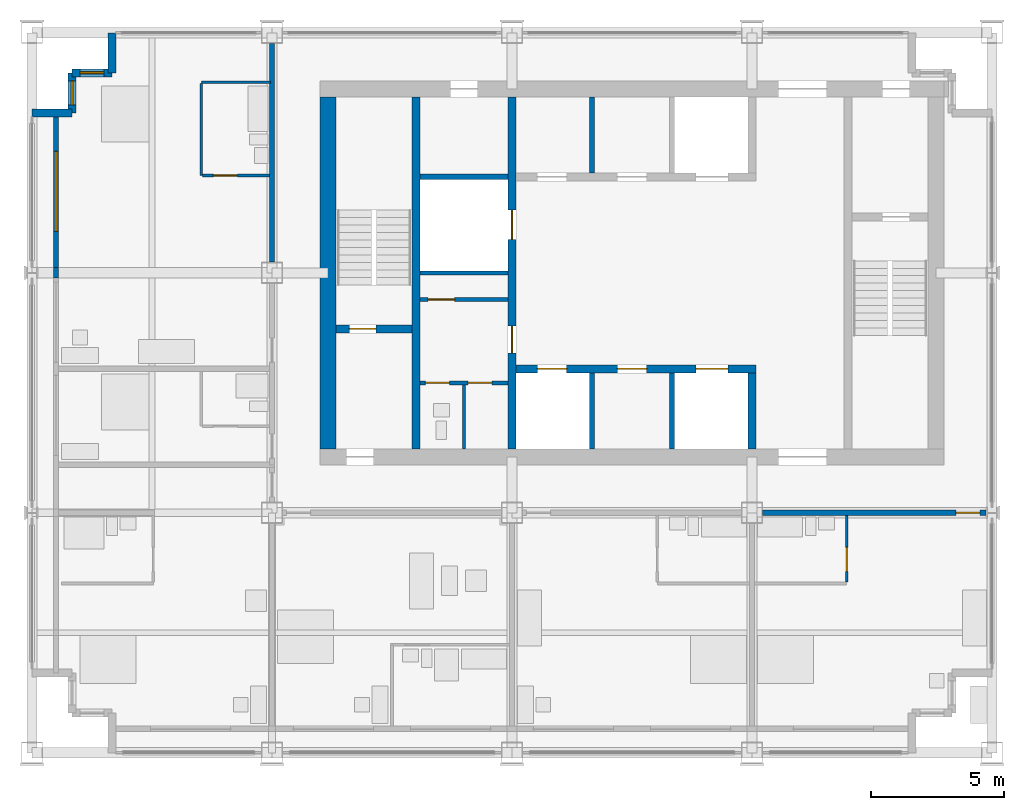
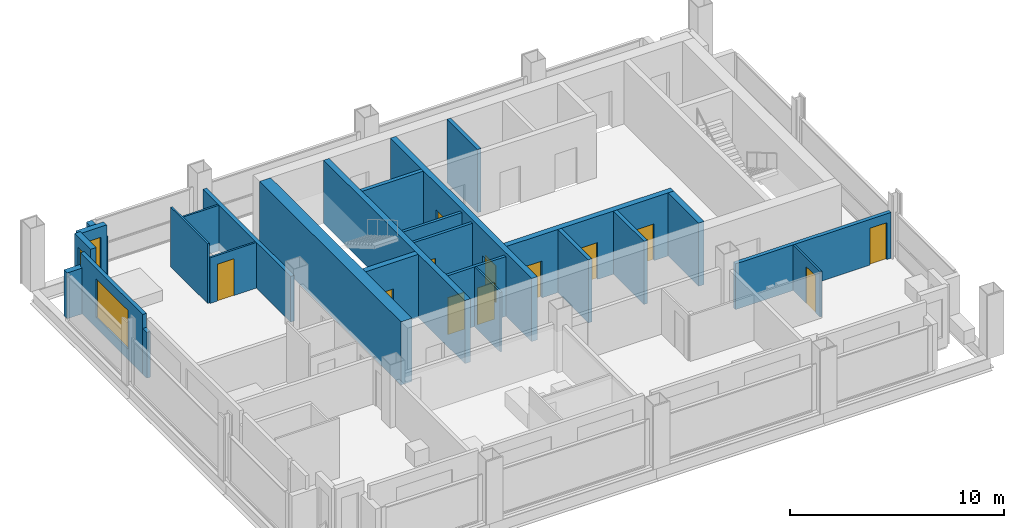
# One storey, part 7 of 11: 26 walls, 12 doors, 3 windows, 15 openings.
"""IFC4 building model written with IfcOpenShell, lengths in metres."""

from ifc_helpers import new_model, si_unit, direction, frame, frame_2d, origin, place, context, subcontext, project, spatial, rectangle, extrude, material, layer, layer_set, type_object, element, fill, save


model = new_model("IFC4")

# Units and contexts
model_context = context("Model", 3, precision=1e-05, world=origin(), true_north=direction((0.0, 1.0)))
body_context = subcontext(model_context, "Body", "Model", "MODEL_VIEW")
ifc_project = project(units=[si_unit("LENGTHUNIT", "METRE"), si_unit("AREAUNIT", "SQUARE_METRE"), si_unit("VOLUMEUNIT", "CUBIC_METRE"), si_unit("PLANEANGLEUNIT", "RADIAN"), si_unit("MASSUNIT", "GRAM", prefix="KILO")], contexts=[model_context])

# Site, building, storey
site_placement = place(None, origin())
site = spatial("IfcSite", under=ifc_project, at=site_placement, CompositionType="ELEMENT")
building_placement = place(site_placement, origin())
building = spatial("IfcBuilding", under=site, at=building_placement, Name="Loomwork Tower", CompositionType="ELEMENT")
storey_placement = place(building_placement, frame((0.0, 0.0, 248.199951171875)))
storey = spatial("IfcBuildingStorey", under=building, at=storey_placement, Name="L68", CompositionType="ELEMENT", Elevation=248.199951171875)

# Wall
ifc_material_1 = material(Name="Concrete 14000 psi (97 MPa)", Category="concrete")
ifc_layer_1 = layer(ifc_material_1, 0.300048828125)
ifc_layer_set_1 = layer_set([ifc_layer_1], Name="Core shear wall 300")
wall_type_1 = type_object("IfcWallType", Name="Core shear wall 300", PredefinedType="SHEAR", material=ifc_layer_set_1)
wall_1_placement = place(storey_placement, frame((14.39990234375, 11.39990234375, 0.0), z_axis=(0.0, 0.0, 1.0), x_axis=(0.0, 1.0, 0.0)))
element("IfcWall", 1, at=wall_1_placement, inside=storey, type_object=wall_type_1, Name="Stair A east wall L68", PredefinedType="SHEAR", context=body_context, shape_type="SweptSolid", body=[
    extrude(rectangle(XDim=13.2001953125, YDim=0.300048828125, at=frame_2d((6.60009765625, 0.0))), origin(), (0.0, 0.0, 1.0), 3.60009765625),
])

# Wall, opening, door
wall_2_placement = place(storey_placement, frame((11.39990234375, 15.89990234375, 0.0), z_axis=(0.0, 0.0, 1.0), x_axis=(1.0, 0.0, 0.0)))
wall_2 = element("IfcWall", 2, at=wall_2_placement, inside=storey, type_object=wall_type_1, Name="Stair A south wall L68", PredefinedType="SHEAR", context=body_context, shape_type="SweptSolid", body=[
    extrude(rectangle(XDim=2.85009765625, YDim=0.300048828125, at=frame_2d((1.425048828125, 0.0))), origin(), (0.0, 0.0, 1.0), 3.60009765625),
])
opening_1_placement = place(wall_2_placement, frame((0.5, 0.0, 0.0)))
opening_1 = element("IfcOpeningElement", 3, at=opening_1_placement, cuts=wall_2, Name="Opening D4", PredefinedType="OPENING", context=body_context, shape_type="SweptSolid", body=[
    extrude(rectangle(XDim=1.0, YDim=2.10009765625, at=frame_2d((0.5, 1.050048828125))), frame((0.0, 0.159912109375, 0.0), z_axis=(0.0, -1.0, 0.0), x_axis=(1.0, 0.0, 0.0)), (0.0, 0.0, 1.0), 0.320068359375),
])
ifc_material_2 = material(Name="Hollow metal door and frame")
door_type_1 = type_object("IfcDoorType", Name="Stair door 1000", OperationType="SINGLE_SWING_RIGHT", PredefinedType="DOOR", material=ifc_material_2)
door_1_placement = place(opening_1_placement, origin())
door_1 = element("IfcDoor", 4, at=door_1_placement, inside=storey, type_object=door_type_1, Name="Stair A door", OperationType="SINGLE_SWING_LEFT", OverallHeight=2.10009765625, OverallWidth=1.0, PredefinedType="DOOR", context=body_context, shape_type="SweptSolid", body=[
    extrude(rectangle(XDim=1.0, YDim=2.10009765625, at=frame_2d((0.5, 1.050048828125))), frame((0.0, 0.02490234375, 0.0), z_axis=(0.0, -1.0, 0.0), x_axis=(1.0, 0.0, 0.0)), (0.0, 0.0, 1.0), 0.050048828125),
])
fill(opening_1, door_1)

# Wall, openings, doors
wall_3_placement = place(storey_placement, frame((18.0, 11.39990234375, 0.0), z_axis=(0.0, 0.0, 1.0), x_axis=(0.0, 1.0, 0.0)))
wall_3 = element("IfcWall", 5, at=wall_3_placement, inside=storey, type_object=wall_type_1, Name="Lobby west wall L68", PredefinedType="SHEAR", context=body_context, shape_type="SweptSolid", body=[
    extrude(rectangle(XDim=13.2001953125, YDim=0.300048828125, at=frame_2d((6.60009765625, 0.0))), origin(), (0.0, 0.0, 1.0), 3.60009765625),
])
opening_2_placement = place(wall_3_placement, frame((3.60009765625, 0.0, 0.0)))
opening_2 = element("IfcOpeningElement", 6, at=opening_2_placement, cuts=wall_3, Name="Opening D5", PredefinedType="OPENING", context=body_context, shape_type="SweptSolid", body=[
    extrude(rectangle(XDim=1.0, YDim=2.10009765625, at=frame_2d((0.5, 1.050048828125))), frame((0.0, 0.159912109375, 0.0), z_axis=(0.0, -1.0, 0.0), x_axis=(1.0, 0.0, 0.0)), (0.0, 0.0, 1.0), 0.320068359375),
])
opening_3_placement = place(wall_3_placement, frame((7.85009765625, 0.0, 0.0)))
opening_3 = element("IfcOpeningElement", 7, at=opening_3_placement, cuts=wall_3, Name="Opening LD1", PredefinedType="OPENING", context=body_context, shape_type="SweptSolid", body=[
    extrude(rectangle(XDim=1.10009765625, YDim=2.10009765625, at=frame_2d((0.550048828125, 1.050048828125))), frame((0.0, 0.159912109375, 0.0), z_axis=(0.0, -1.0, 0.0), x_axis=(1.0, 0.0, 0.0)), (0.0, 0.0, 1.0), 0.320068359375),
])
ifc_material_3 = material(Name="Hollow metal door and frame")
door_type_2 = type_object("IfcDoorType", Name="Lift landing door 1100", OperationType="SLIDING_TO_LEFT", PredefinedType="DOOR", material=ifc_material_3)
door_2_placement = place(opening_3_placement, origin())
door_2 = element("IfcDoor", 8, at=door_2_placement, inside=storey, type_object=door_type_2, Name="Lift landing door LC2", OperationType="SLIDING_TO_LEFT", OverallHeight=2.10009765625, OverallWidth=1.10009765625, PredefinedType="DOOR", context=body_context, shape_type="SweptSolid", body=[
    extrude(rectangle(XDim=1.10009765625, YDim=2.10009765625, at=frame_2d((0.550048828125, 1.050048828125))), frame((0.0, 0.02490234375, 0.0), z_axis=(0.0, -1.0, 0.0), x_axis=(1.0, 0.0, 0.0)), (0.0, 0.0, 1.0), 0.050048828125),
])
fill(opening_3, door_2)
ifc_material_4 = material(Name="Hollow metal door and frame")
door_type_3 = type_object("IfcDoorType", Name="Service door 1000", OperationType="SINGLE_SWING_LEFT", PredefinedType="DOOR", material=ifc_material_4)
door_3_placement = place(opening_2_placement, origin())
door_3 = element("IfcDoor", 9, at=door_3_placement, inside=storey, type_object=door_type_3, Name="Back-of-house door south", OperationType="SINGLE_SWING_LEFT", OverallHeight=2.10009765625, OverallWidth=1.0, PredefinedType="DOOR", context=body_context, shape_type="SweptSolid", body=[
    extrude(rectangle(XDim=1.0, YDim=2.10009765625, at=frame_2d((0.5, 1.050048828125))), frame((0.0, 0.02490234375, 0.0), z_axis=(0.0, -1.0, 0.0), x_axis=(1.0, 0.0, 0.0)), (0.0, 0.0, 1.0), 0.050048828125),
])
fill(opening_2, door_3)

wall_4_placement = place(storey_placement, frame((18.14990234375, 14.39990234375, 0.0), z_axis=(0.0, 0.0, 1.0), x_axis=(1.0, 0.0, 0.0)))
wall_4 = element("IfcWall", 10, at=wall_4_placement, inside=storey, type_object=wall_type_1, Name="Lift front wall south L68", PredefinedType="SHEAR", context=body_context, shape_type="SweptSolid", body=[
    extrude(rectangle(XDim=9.0, YDim=0.300048828125, at=frame_2d((4.5, 0.0))), origin(), (0.0, 0.0, 1.0), 3.60009765625),
])
opening_4_placement = place(wall_4_placement, frame((0.800048828125, 0.0, 0.0)))
opening_4 = element("IfcOpeningElement", 11, at=opening_4_placement, cuts=wall_4, Name="Opening LD1", PredefinedType="OPENING", context=body_context, shape_type="SweptSolid", body=[
    extrude(rectangle(XDim=1.10009765625, YDim=2.10009765625, at=frame_2d((0.550048828125, 1.050048828125))), frame((0.0, 0.159912109375, 0.0), z_axis=(0.0, -1.0, 0.0), x_axis=(1.0, 0.0, 0.0)), (0.0, 0.0, 1.0), 0.320068359375),
])
opening_5_placement = place(wall_4_placement, frame((6.75, 0.0, 0.0)))
opening_5 = element("IfcOpeningElement", 12, at=opening_5_placement, cuts=wall_4, Name="Opening LD2", PredefinedType="OPENING", context=body_context, shape_type="SweptSolid", body=[
    extrude(rectangle(XDim=1.199951171875, YDim=2.10009765625, at=frame_2d((0.60009765625, 1.050048828125))), frame((0.0, 0.159912109375, 0.0), z_axis=(0.0, -1.0, 0.0), x_axis=(1.0, 0.0, 0.0)), (0.0, 0.0, 1.0), 0.320068359375),
])
opening_6_placement = place(wall_4_placement, frame((3.800048828125, 0.0, 0.0)))
opening_6 = element("IfcOpeningElement", 13, at=opening_6_placement, cuts=wall_4, Name="Opening D17", PredefinedType="OPENING", context=body_context, shape_type="SweptSolid", body=[
    extrude(rectangle(XDim=1.10009765625, YDim=2.10009765625, at=frame_2d((0.550048828125, 1.050048828125))), frame((0.0, 0.159912109375, 0.0), z_axis=(0.0, -1.0, 0.0), x_axis=(1.0, 0.0, 0.0)), (0.0, 0.0, 1.0), 0.320068359375),
])
door_4_placement = place(opening_4_placement, origin())
door_4 = element("IfcDoor", 14, at=door_4_placement, inside=storey, type_object=door_type_2, Name="Lift landing door LC1", OperationType="SLIDING_TO_LEFT", OverallHeight=2.10009765625, OverallWidth=1.10009765625, PredefinedType="DOOR", context=body_context, shape_type="SweptSolid", body=[
    extrude(rectangle(XDim=1.10009765625, YDim=2.10009765625, at=frame_2d((0.550048828125, 1.050048828125))), frame((0.0, 0.02490234375, 0.0), z_axis=(0.0, -1.0, 0.0), x_axis=(1.0, 0.0, 0.0)), (0.0, 0.0, 1.0), 0.050048828125),
])
fill(opening_4, door_4)
ifc_material_5 = material(Name="Hollow metal door and frame")
door_type_4 = type_object("IfcDoorType", Name="Lift landing door 1200", OperationType="SLIDING_TO_LEFT", PredefinedType="DOOR", material=ifc_material_5)
door_5_placement = place(opening_5_placement, origin())
door_5 = element("IfcDoor", 15, at=door_5_placement, inside=storey, type_object=door_type_4, Name="Lift landing door LF1", OperationType="SLIDING_TO_LEFT", OverallHeight=2.10009765625, OverallWidth=1.199951171875, PredefinedType="DOOR", context=body_context, shape_type="SweptSolid", body=[
    extrude(rectangle(XDim=1.199951171875, YDim=2.10009765625, at=frame_2d((0.60009765625, 1.050048828125))), frame((0.0, 0.02490234375, 0.0), z_axis=(0.0, -1.0, 0.0), x_axis=(1.0, 0.0, 0.0)), (0.0, 0.0, 1.0), 0.050048828125),
])
fill(opening_5, door_5)
ifc_material_6 = material(Name="Hollow metal door and frame")
door_type_5 = type_object("IfcDoorType", Name="Service room door 1100", OperationType="SINGLE_SWING_LEFT", PredefinedType="DOOR", material=ifc_material_6)
door_6_placement = place(opening_6_placement, frame((1.10009765625, 0.0, 0.0), z_axis=(0.0, 0.0, 1.0), x_axis=(-1.0, 0.0, 0.0)))
door_6 = element("IfcDoor", 16, at=door_6_placement, inside=storey, type_object=door_type_5, Name="Housekeeping store door L68", OperationType="SINGLE_SWING_RIGHT", OverallHeight=2.10009765625, OverallWidth=1.10009765625, PredefinedType="DOOR", context=body_context, shape_type="SweptSolid", body=[
    extrude(rectangle(XDim=1.10009765625, YDim=2.10009765625, at=frame_2d((0.550048828125, 1.050048828125))), frame((0.0, 0.02490234375, 0.0), z_axis=(0.0, -1.0, 0.0), x_axis=(1.0, 0.0, 0.0)), (0.0, 0.0, 1.0), 0.050048828125),
])
fill(opening_6, door_6)

# Walls
wall_5_placement = place(storey_placement, frame((27.0, 11.39990234375, 0.0), z_axis=(0.0, 0.0, 1.0), x_axis=(0.0, 1.0, 0.0)))
element("IfcWall", 17, at=wall_5_placement, inside=storey, type_object=wall_type_1, Name="Lift shaft end wall south L68", PredefinedType="SHEAR", context=body_context, shape_type="SweptSolid", body=[
    extrude(rectangle(XDim=2.85009765625, YDim=0.300048828125, at=frame_2d((1.425048828125, 0.0))), origin(), (0.0, 0.0, 1.0), 3.60009765625),
])
ifc_material_7 = material(Name="Concrete 14000 psi (97 MPa)", Category="concrete")
ifc_layer_2 = layer(ifc_material_7, 0.60009765625)
ifc_layer_set_2 = layer_set([ifc_layer_2], Name="Core shear wall 600")
wall_type_2 = type_object("IfcWallType", Name="Core shear wall 600", PredefinedType="SHEAR", material=ifc_layer_set_2)
wall_6_placement = place(storey_placement, frame((11.10009765625, 11.39990234375, 0.0), z_axis=(0.0, 0.0, 1.0), x_axis=(0.0, 1.0, 0.0)))
element("IfcWall", 18, at=wall_6_placement, inside=storey, type_object=wall_type_2, Name="Core wall west L68", PredefinedType="SHEAR", context=body_context, shape_type="SweptSolid", body=[
    extrude(rectangle(XDim=13.2001953125, YDim=0.60009765625, at=frame_2d((6.60009765625, 0.0))), origin(), (0.0, 0.0, 1.0), 3.60009765625),
])

# Wall, opening, door
ifc_material_8 = material(Name="Gypsum board on steel studs, one-hour", Category="steel")
ifc_layer_3 = layer(ifc_material_8, 0.199951171875)
ifc_layer_set_3 = layer_set([ifc_layer_3], Name="Corridor wall 200")
wall_type_3 = type_object("IfcWallType", Name="Corridor wall 200", PredefinedType="PARTITIONING", material=ifc_layer_set_3)
wall_7_placement = place(storey_placement, frame((27.39990234375, 9.0, 0.0), z_axis=(0.0, 0.0, 1.0), x_axis=(1.0, 0.0, 0.0)))
wall_7 = element("IfcWall", 19, at=wall_7_placement, inside=storey, type_object=wall_type_3, Name="South corridor wall 4", PredefinedType="PARTITIONING", context=body_context, shape_type="SweptSolid", body=[
    extrude(rectangle(XDim=8.377685546875, YDim=0.199951171875, at=frame_2d((4.18896484375, 0.0))), origin(), (0.0, 0.0, 1.0), 2.60498046875),
])
opening_7_placement = place(wall_7_placement, frame((7.25, 0.0, 0.0)))
opening_7 = element("IfcOpeningElement", 20, at=opening_7_placement, cuts=wall_7, Name="Opening D1", PredefinedType="OPENING", context=body_context, shape_type="SweptSolid", body=[
    extrude(rectangle(XDim=0.89990234375, YDim=2.10009765625, at=frame_2d((0.449951171875, 1.050048828125))), frame((0.0, 0.10986328125, 0.0), z_axis=(0.0, -1.0, 0.0), x_axis=(1.0, 0.0, 0.0)), (0.0, 0.0, 1.0), 0.219970703125),
])
ifc_material_9 = material(Name="Hollow metal door and frame")
door_type_6 = type_object("IfcDoorType", Name="Guest room entry door 900", OperationType="SINGLE_SWING_LEFT", PredefinedType="DOOR", material=ifc_material_9)
door_7_placement = place(opening_7_placement, frame((0.89990234375, 0.0, 0.0), z_axis=(0.0, 0.0, 1.0), x_axis=(-1.0, 0.0, 0.0)))
door_7 = element("IfcDoor", 21, at=door_7_placement, inside=storey, type_object=door_type_6, Name="Guest room entry door L68 4", OperationType="SINGLE_SWING_RIGHT", OverallHeight=2.10009765625, OverallWidth=0.89990234375, PredefinedType="DOOR", context=body_context, shape_type="SweptSolid", body=[
    extrude(rectangle(XDim=0.89990234375, YDim=2.10009765625, at=frame_2d((0.449951171875, 1.050048828125))), frame((0.0, 0.02490234375, 0.0), z_axis=(0.0, -1.0, 0.0), x_axis=(1.0, 0.0, 0.0)), (0.0, 0.0, 1.0), 0.050048828125),
])
fill(opening_7, door_7)

# Wall
wall_8_placement = place(storey_placement, frame((9.0, 18.39990234375, 0.0), z_axis=(0.0, 0.0, 1.0), x_axis=(0.0, 1.0, 0.0)))
element("IfcWall", 22, at=wall_8_placement, inside=storey, type_object=wall_type_3, Name="West corridor wall 2", PredefinedType="PARTITIONING", context=body_context, shape_type="SweptSolid", body=[
    extrude(rectangle(XDim=8.2001953125, YDim=0.199951171875, at=frame_2d((4.10009765625, 0.0))), origin(), (0.0, 0.0, 1.0), 2.60498046875),
])

# Wall, opening, door
ifc_material_10 = material(Name="Cement board on steel studs", Category="steel")
ifc_layer_4 = layer(ifc_material_10, 0.10009765625)
ifc_layer_set_4 = layer_set([ifc_layer_4], Name="En-suite partition 100")
wall_type_4 = type_object("IfcWallType", Name="En-suite partition 100", PredefinedType="PARTITIONING", material=ifc_layer_set_4)
wall_9_placement = place(storey_placement, frame((30.550048828125, 8.89990234375, 0.0), z_axis=(0.0, 0.0, 1.0), x_axis=(0.0, -1.0, 0.0)))
wall_9 = element("IfcWall", 23, at=wall_9_placement, inside=storey, type_object=wall_type_4, Name="En-suite side wall L68 room 4", PredefinedType="PARTITIONING", context=body_context, shape_type="SweptSolid", body=[
    extrude(rectangle(XDim=2.5, YDim=0.10009765625, at=frame_2d((1.25, 0.0))), origin(), (0.0, 0.0, 1.0), 2.60400390625),
])
opening_8_placement = place(wall_9_placement, frame((1.199951171875, 0.0, 0.0)))
opening_8 = element("IfcOpeningElement", 24, at=opening_8_placement, cuts=wall_9, Name="Opening D2", PredefinedType="OPENING", context=body_context, shape_type="SweptSolid", body=[
    extrude(rectangle(XDim=0.89990234375, YDim=2.10009765625, at=frame_2d((0.449951171875, 1.050048828125))), frame((0.0, 0.06005859375, 0.0), z_axis=(0.0, -1.0, 0.0), x_axis=(1.0, 0.0, 0.0)), (0.0, 0.0, 1.0), 0.1201171875),
])
ifc_material_11 = material(Name="Hollow metal door and frame")
door_type_7 = type_object("IfcDoorType", Name="En-suite door 900", OperationType="SINGLE_SWING_LEFT", PredefinedType="DOOR", material=ifc_material_11)
door_8_placement = place(opening_8_placement, frame((0.89990234375, 0.0, 0.0), z_axis=(0.0, 0.0, 1.0), x_axis=(-1.0, 0.0, 0.0)))
door_8 = element("IfcDoor", 25, at=door_8_placement, inside=storey, type_object=door_type_7, Name="En-suite door room 4", OperationType="SINGLE_SWING_LEFT", OverallHeight=2.10009765625, OverallWidth=0.89990234375, PredefinedType="DOOR", context=body_context, shape_type="SweptSolid", body=[
    extrude(rectangle(XDim=0.89990234375, YDim=2.10009765625, at=frame_2d((0.449951171875, 1.050048828125))), frame((0.0, 0.02490234375, 0.0), z_axis=(0.0, -1.0, 0.0), x_axis=(1.0, 0.0, 0.0)), (0.0, 0.0, 1.0), 0.050048828125),
])
fill(opening_8, door_8)

# Wall
wall_10_placement = place(storey_placement, frame((6.35009765625, 21.64990234375, 0.0), z_axis=(0.0, 0.0, 1.0), x_axis=(0.0, 1.0, 0.0)))
element("IfcWall", 26, at=wall_10_placement, inside=storey, type_object=wall_type_4, Name="En-suite wall L68 room 6", PredefinedType="PARTITIONING", context=body_context, shape_type="SweptSolid", body=[
    extrude(rectangle(XDim=3.4501953125, YDim=0.10009765625, at=frame_2d((1.72509765625, 0.0))), origin(), (0.0, 0.0, 1.0), 3.400146484375),
])

# Wall, opening, door
wall_11_placement = place(storey_placement, frame((8.89990234375, 21.64990234375, 0.0), z_axis=(0.0, 0.0, 1.0), x_axis=(-1.0, 0.0, 0.0)))
wall_11 = element("IfcWall", 27, at=wall_11_placement, inside=storey, type_object=wall_type_4, Name="En-suite side wall L68 room 6", PredefinedType="PARTITIONING", context=body_context, shape_type="SweptSolid", body=[
    extrude(rectangle(XDim=2.5, YDim=0.10009765625, at=frame_2d((1.25, 0.0))), origin(), (0.0, 0.0, 1.0), 2.60400390625),
])
opening_9_placement = place(wall_11_placement, frame((1.199951171875, 0.0, 0.0)))
opening_9 = element("IfcOpeningElement", 28, at=opening_9_placement, cuts=wall_11, Name="Opening D2", PredefinedType="OPENING", context=body_context, shape_type="SweptSolid", body=[
    extrude(rectangle(XDim=0.89990234375, YDim=2.10009765625, at=frame_2d((0.449951171875, 1.050048828125))), frame((0.0, 0.06005859375, 0.0), z_axis=(0.0, -1.0, 0.0), x_axis=(1.0, 0.0, 0.0)), (0.0, 0.0, 1.0), 0.1201171875),
])
door_9_placement = place(opening_9_placement, frame((0.89990234375, 0.0, 0.0), z_axis=(0.0, 0.0, 1.0), x_axis=(-1.0, 0.0, 0.0)))
door_9 = element("IfcDoor", 29, at=door_9_placement, inside=storey, type_object=door_type_7, Name="En-suite door room 6", OperationType="SINGLE_SWING_LEFT", OverallHeight=2.10009765625, OverallWidth=0.89990234375, PredefinedType="DOOR", context=body_context, shape_type="SweptSolid", body=[
    extrude(rectangle(XDim=0.89990234375, YDim=2.10009765625, at=frame_2d((0.449951171875, 1.050048828125))), frame((0.0, 0.02490234375, 0.0), z_axis=(0.0, -1.0, 0.0), x_axis=(1.0, 0.0, 0.0)), (0.0, 0.0, 1.0), 0.050048828125),
])
fill(opening_9, door_9)

# Walls
wall_12_placement = place(storey_placement, frame((6.35009765625, 25.14990234375, 0.0), z_axis=(0.0, 0.0, 1.0), x_axis=(1.0, 0.0, 0.0)))
element("IfcWall", 30, at=wall_12_placement, inside=storey, type_object=wall_type_4, Name="En-suite wall L68 stub", PredefinedType="PARTITIONING", context=body_context, shape_type="SweptSolid", body=[
    extrude(rectangle(XDim=2.599853515625, YDim=0.10009765625, at=frame_2d((1.2998046875, 0.0))), origin(), (0.0, 0.0, 1.0), 2.60400390625),
])
wall_13_placement = place(storey_placement, frame((16.199951171875, 11.39990234375, 0.0), z_axis=(0.0, 0.0, 1.0), x_axis=(0.0, 1.0, 0.0)))
element("IfcWall", 31, at=wall_13_placement, inside=storey, type_object=wall_type_4, Name="Back-of-house partition L68 2", PredefinedType="PARTITIONING", context=body_context, shape_type="SweptSolid", body=[
    extrude(rectangle(XDim=2.400146484375, YDim=0.10009765625, at=frame_2d((1.2001953125, 0.0))), origin(), (0.0, 0.0, 1.0), 3.400146484375),
])
ifc_material_12 = material(Name="Insulated steel stud wall with gypsum lining", Category="steel")
ifc_layer_5 = layer(ifc_material_12, 0.199951171875)
ifc_layer_set_5 = layer_set([ifc_layer_5], Name="Inner skin wall 200")
wall_type_5 = type_object("IfcWallType", Name="Inner skin wall 200", PredefinedType="SOLIDWALL", material=ifc_layer_set_5)
wall_14_placement = place(storey_placement, frame((0.89990234375, 17.80615234375, 0.0), z_axis=(0.0, 0.0, 1.0), x_axis=(0.0, 1.0, 0.0)))
element("IfcWall", 32, at=wall_14_placement, inside=storey, type_object=wall_type_5, Name="Inner skin wall W bay 6", PredefinedType="SOLIDWALL", context=body_context, shape_type="SweptSolid", body=[
    extrude(rectangle(XDim=0.3876953125, YDim=0.199951171875, at=frame_2d((0.19384765625, 0.0))), origin(), (0.0, 0.0, 1.0), 2.60400390625),
])

# Wall, opening, window
wall_15_placement = place(storey_placement, frame((0.89990234375, 18.19384765625, 0.0), z_axis=(0.0, 0.0, 1.0), x_axis=(0.0, 1.0, 0.0)))
wall_15 = element("IfcWall", 33, at=wall_15_placement, inside=storey, type_object=wall_type_5, Name="Inner skin wall W bay 7", PredefinedType="SOLIDWALL", context=body_context, shape_type="SweptSolid", body=[
    extrude(rectangle(XDim=5.80615234375, YDim=0.199951171875, at=frame_2d((2.903076171875, 0.0))), origin(), (0.0, 0.0, 1.0), 3.400146484375),
])
opening_10_placement = place(wall_15_placement, frame((1.356201171875, 0.0, 0.60009765625)))
opening_10 = element("IfcOpeningElement", 34, at=opening_10_placement, cuts=wall_15, Name="Opening CH1", PredefinedType="OPENING", context=body_context, shape_type="SweptSolid", body=[
    extrude(rectangle(XDim=3.0, YDim=2.199951171875, at=frame_2d((1.5, 1.10009765625))), frame((0.0, 0.10986328125, 0.0), z_axis=(0.0, -1.0, 0.0), x_axis=(1.0, 0.0, 0.0)), (0.0, 0.0, 1.0), 0.219970703125),
])
ifc_material_13 = material(Name="Aluminium frame with clear insulated glass", Category="aluminium")
window_type_1 = type_object("IfcWindowType", Name="Chicago window 3000", PartitioningType="TRIPLE_PANEL_VERTICAL", PredefinedType="WINDOW", material=ifc_material_13)
window_1_placement = place(opening_10_placement, origin())
window_1 = element("IfcWindow", 35, at=window_1_placement, inside=storey, type_object=window_type_1, Name="Chicago window L68 bay 6", OverallHeight=2.199951171875, OverallWidth=3.0, PartitioningType="TRIPLE_PANEL_VERTICAL", PredefinedType="WINDOW", context=body_context, shape_type="SweptSolid", body=[
    extrude(rectangle(XDim=3.0, YDim=2.199951171875, at=frame_2d((1.5, 1.10009765625))), frame((0.0, 0.030029296875, 0.0), z_axis=(0.0, -1.0, 0.0), x_axis=(1.0, 0.0, 0.0)), (0.0, 0.0, 1.0), 0.06005859375),
])
fill(opening_10, window_1)

# Walls
ifc_material_14 = material(Name="Concrete 14000 psi (97 MPa)", Category="concrete")
ifc_layer_6 = layer(ifc_material_14, 0.199951171875)
ifc_layer_set_6 = layer_set([ifc_layer_6], Name="Lift shaft wall 200")
wall_type_6 = type_object("IfcWallType", Name="Lift shaft wall 200", PredefinedType="SHEAR", material=ifc_layer_set_6)
for number, where, z_axis, x_axis, name in (
    (36, (21.0, 11.39990234375, 0.0), (0.0, 0.0, 1.0), (0.0, 1.0, 0.0), "Lift shaft separation wall south 1 L68"),
    (37, (24.0, 11.39990234375, 0.0), (0.0, 0.0, 1.0), (0.0, 1.0, 0.0), "Lift shaft separation wall south 2 L68"),
    (38, (21.0, 21.75, 0.0), (0.0, 0.0, 1.0), (0.0, 1.0, 0.0), "Lift shaft separation wall north 1 L68"),
):
    element("IfcWall", number, at=place(storey_placement, frame(where, z_axis=z_axis, x_axis=x_axis)), inside=storey, type_object=wall_type_6, Name=name, PredefinedType="SHEAR", context=body_context, shape_type="SweptSolid", body=[
        extrude(rectangle(XDim=2.85009765625, YDim=0.199951171875, at=frame_2d((1.425048828125, 0.0))), origin(), (0.0, 0.0, 1.0), 3.60009765625),
    ])
wall_16_placement = place(storey_placement, frame((14.550048828125, 21.60009765625, 0.0), z_axis=(0.0, 0.0, 1.0), x_axis=(1.0, 0.0, 0.0)))
element("IfcWall", 39, at=wall_16_placement, inside=storey, type_object=wall_type_6, Name="Lift shaft wall west north L68", PredefinedType="SHEAR", context=body_context, shape_type="SweptSolid", body=[
    extrude(rectangle(XDim=3.300048828125, YDim=0.199951171875, at=frame_2d((1.64990234375, 0.0))), origin(), (0.0, 0.0, 1.0), 3.60009765625),
])
ifc_material_15 = material(Name="Limestone on concrete masonry", Category="masonry")
ifc_layer_7 = layer(ifc_material_15, 0.300048828125)
ifc_layer_set_7 = layer_set([ifc_layer_7], Name="Limestone corner wall 300")
wall_type_7 = type_object("IfcWallType", Name="Limestone corner wall 300", PredefinedType="SOLIDWALL", material=ifc_layer_set_7)
wall_17_placement = place(storey_placement, frame((3.0, 27.0, 0.0), z_axis=(0.0, 0.0, 1.0), x_axis=(0.0, -1.0, 0.0)))
element("IfcWall", 40, at=wall_17_placement, inside=storey, type_object=wall_type_7, Name="Stone corner wall NW 1", PredefinedType="SOLIDWALL", context=body_context, shape_type="SweptSolid", body=[
    extrude(rectangle(XDim=1.5, YDim=0.300048828125, at=frame_2d((0.75, 0.0))), origin(), (0.0, 0.0, 1.0), 2.6201171875),
])

# Wall, opening, window
wall_18_placement = place(storey_placement, frame((3.0, 25.5, 0.0), z_axis=(0.0, 0.0, 1.0), x_axis=(-1.0, 0.0, 0.0)))
wall_18 = element("IfcWall", 41, at=wall_18_placement, inside=storey, type_object=wall_type_7, Name="Stone corner wall NW 2", PredefinedType="SOLIDWALL", context=body_context, shape_type="SweptSolid", body=[
    extrude(rectangle(XDim=1.5, YDim=0.300048828125, at=frame_2d((0.75, 0.0))), origin(), (0.0, 0.0, 1.0), 3.400146484375),
])
opening_11_placement = place(wall_18_placement, frame((0.300048828125, 0.0, 0.60009765625)))
opening_11 = element("IfcOpeningElement", 42, at=opening_11_placement, cuts=wall_18, Name="Opening CH2", PredefinedType="OPENING", context=body_context, shape_type="SweptSolid", body=[
    extrude(rectangle(XDim=0.89990234375, YDim=2.199951171875, at=frame_2d((0.449951171875, 1.10009765625))), frame((0.0, 0.159912109375, 0.0), z_axis=(0.0, -1.0, 0.0), x_axis=(1.0, 0.0, 0.0)), (0.0, 0.0, 1.0), 0.320068359375),
])
ifc_material_16 = material(Name="Aluminium frame with clear insulated glass", Category="aluminium")
window_type_2 = type_object("IfcWindowType", Name="Corner window 900", PartitioningType="SINGLE_PANEL", PredefinedType="WINDOW", material=ifc_material_16)
window_2_placement = place(opening_11_placement, origin())
window_2 = element("IfcWindow", 43, at=window_2_placement, inside=storey, type_object=window_type_2, Name="Corner window NW", OverallHeight=2.199951171875, OverallWidth=0.89990234375, PartitioningType="SINGLE_PANEL", PredefinedType="WINDOW", context=body_context, shape_type="SweptSolid", body=[
    extrude(rectangle(XDim=0.89990234375, YDim=2.199951171875, at=frame_2d((0.449951171875, 1.10009765625))), frame((0.0, 0.030029296875, 0.0), z_axis=(0.0, -1.0, 0.0), x_axis=(1.0, 0.0, 0.0)), (0.0, 0.0, 1.0), 0.06005859375),
])
fill(opening_11, window_2)

wall_19_placement = place(storey_placement, frame((1.5, 25.5, 0.0), z_axis=(0.0, 0.0, 1.0), x_axis=(0.0, -1.0, 0.0)))
wall_19 = element("IfcWall", 44, at=wall_19_placement, inside=storey, type_object=wall_type_7, Name="Stone corner wall NW 3", PredefinedType="SOLIDWALL", context=body_context, shape_type="SweptSolid", body=[
    extrude(rectangle(XDim=1.5, YDim=0.300048828125, at=frame_2d((0.75, 0.0))), origin(), (0.0, 0.0, 1.0), 3.400146484375),
])
opening_12_placement = place(wall_19_placement, frame((0.300048828125, 0.0, 0.60009765625)))
opening_12 = element("IfcOpeningElement", 45, at=opening_12_placement, cuts=wall_19, Name="Opening CH2", PredefinedType="OPENING", context=body_context, shape_type="SweptSolid", body=[
    extrude(rectangle(XDim=0.89990234375, YDim=2.199951171875, at=frame_2d((0.449951171875, 1.10009765625))), frame((0.0, 0.159912109375, 0.0), z_axis=(0.0, -1.0, 0.0), x_axis=(1.0, 0.0, 0.0)), (0.0, 0.0, 1.0), 0.320068359375),
])
window_3_placement = place(opening_12_placement, origin())
window_3 = element("IfcWindow", 46, at=window_3_placement, inside=storey, type_object=window_type_2, Name="Corner window NW", OverallHeight=2.199951171875, OverallWidth=0.89990234375, PartitioningType="SINGLE_PANEL", PredefinedType="WINDOW", context=body_context, shape_type="SweptSolid", body=[
    extrude(rectangle(XDim=0.89990234375, YDim=2.199951171875, at=frame_2d((0.449951171875, 1.10009765625))), frame((0.0, 0.030029296875, 0.0), z_axis=(0.0, -1.0, 0.0), x_axis=(1.0, 0.0, 0.0)), (0.0, 0.0, 1.0), 0.06005859375),
])
fill(opening_12, window_3)

# Walls
wall_20_placement = place(storey_placement, frame((1.5, 24.0, 0.0), z_axis=(0.0, 0.0, 1.0), x_axis=(-1.0, 0.0, 0.0)))
element("IfcWall", 47, at=wall_20_placement, inside=storey, type_object=wall_type_7, Name="Stone corner wall NW 4", PredefinedType="SOLIDWALL", context=body_context, shape_type="SweptSolid", body=[
    extrude(rectangle(XDim=1.5, YDim=0.300048828125, at=frame_2d((0.75, 0.0))), origin(), (0.0, 0.0, 1.0), 2.6201171875),
])
ifc_material_17 = material(Name="Gypsum board on steel studs", Category="steel")
ifc_layer_8 = layer(ifc_material_17, 0.14990234375)
ifc_layer_set_8 = layer_set([ifc_layer_8], Name="Partition 150 two-hour")
wall_type_8 = type_object("IfcWallType", Name="Partition 150 two-hour", PredefinedType="PARTITIONING", material=ifc_layer_set_8)
wall_21_placement = place(storey_placement, frame((14.550048828125, 18.0, 0.0), z_axis=(0.0, 0.0, 1.0), x_axis=(1.0, 0.0, 0.0)))
element("IfcWall", 48, at=wall_21_placement, inside=storey, type_object=wall_type_8, Name="Back-of-house dividing wall L68", PredefinedType="PARTITIONING", context=body_context, shape_type="SweptSolid", body=[
    extrude(rectangle(XDim=3.300048828125, YDim=0.14990234375, at=frame_2d((1.64990234375, 0.0))), origin(), (0.0, 0.0, 1.0), 3.400146484375),
])

# Wall, opening, door
ifc_material_18 = material(Name="Gypsum board on steel studs, one-hour", Category="steel")
ifc_layer_9 = layer(ifc_material_18, 0.14990234375)
ifc_layer_set_9 = layer_set([ifc_layer_9], Name="Service partition 150")
wall_type_9 = type_object("IfcWallType", Name="Service partition 150", PredefinedType="PARTITIONING", material=ifc_layer_set_9)
wall_22_placement = place(storey_placement, frame((14.550048828125, 17.0, 0.0), z_axis=(0.0, 0.0, 1.0), x_axis=(1.0, 0.0, 0.0)))
wall_22 = element("IfcWall", 49, at=wall_22_placement, inside=storey, type_object=wall_type_9, Name="Riser enclosure L68", PredefinedType="PARTITIONING", context=body_context, shape_type="SweptSolid", body=[
    extrude(rectangle(XDim=3.300048828125, YDim=0.14990234375, at=frame_2d((1.64990234375, 0.0))), origin(), (0.0, 0.0, 1.0), 3.400146484375),
])
opening_13_placement = place(wall_22_placement, frame((0.300048828125, 0.0, 0.0)))
opening_13 = element("IfcOpeningElement", 50, at=opening_13_placement, cuts=wall_22, Name="Opening D18", PredefinedType="OPENING", context=body_context, shape_type="SweptSolid", body=[
    extrude(rectangle(XDim=1.0, YDim=2.10009765625, at=frame_2d((0.5, 1.050048828125))), frame((0.0, 0.0849609375, 0.0), z_axis=(0.0, -1.0, 0.0), x_axis=(1.0, 0.0, 0.0)), (0.0, 0.0, 1.0), 0.169921875),
])
ifc_material_19 = material(Name="Hollow metal door and frame")
door_type_8 = type_object("IfcDoorType", Name="Ninety-minute service door 1000", OperationType="SINGLE_SWING_LEFT", PredefinedType="DOOR", material=ifc_material_19)
door_10_placement = place(opening_13_placement, frame((1.0, 0.0, 0.0), z_axis=(0.0, 0.0, 1.0), x_axis=(-1.0, 0.0, 0.0)))
door_10 = element("IfcDoor", 51, at=door_10_placement, inside=storey, type_object=door_type_8, Name="Riser access door", OperationType="SINGLE_SWING_RIGHT", OverallHeight=2.10009765625, OverallWidth=1.0, PredefinedType="DOOR", context=body_context, shape_type="SweptSolid", body=[
    extrude(rectangle(XDim=1.0, YDim=2.10009765625, at=frame_2d((0.5, 1.050048828125))), frame((0.0, 0.02490234375, 0.0), z_axis=(0.0, -1.0, 0.0), x_axis=(1.0, 0.0, 0.0)), (0.0, 0.0, 1.0), 0.050048828125),
])
fill(opening_13, door_10)

# Wall, openings, doors
wall_23_placement = place(storey_placement, frame((14.550048828125, 13.875, 0.0), z_axis=(0.0, 0.0, 1.0), x_axis=(1.0, 0.0, 0.0)))
wall_23 = element("IfcWall", 52, at=wall_23_placement, inside=storey, type_object=wall_type_9, Name="Back-of-house partition L68", PredefinedType="PARTITIONING", context=body_context, shape_type="SweptSolid", body=[
    extrude(rectangle(XDim=3.300048828125, YDim=0.14990234375, at=frame_2d((1.64990234375, 0.0))), origin(), (0.0, 0.0, 1.0), 3.400146484375),
])
opening_14_placement = place(wall_23_placement, frame((0.199951171875, 0.0, 0.0)))
opening_14 = element("IfcOpeningElement", 53, at=opening_14_placement, cuts=wall_23, Name="Opening D20", PredefinedType="OPENING", context=body_context, shape_type="SweptSolid", body=[
    extrude(rectangle(XDim=0.89990234375, YDim=2.10009765625, at=frame_2d((0.449951171875, 1.050048828125))), frame((0.0, 0.0849609375, 0.0), z_axis=(0.0, -1.0, 0.0), x_axis=(1.0, 0.0, 0.0)), (0.0, 0.0, 1.0), 0.169921875),
])
opening_15_placement = place(wall_23_placement, frame((1.800048828125, 0.0, 0.0)))
opening_15 = element("IfcOpeningElement", 54, at=opening_15_placement, cuts=wall_23, Name="Opening D20", PredefinedType="OPENING", context=body_context, shape_type="SweptSolid", body=[
    extrude(rectangle(XDim=0.89990234375, YDim=2.10009765625, at=frame_2d((0.449951171875, 1.050048828125))), frame((0.0, 0.0849609375, 0.0), z_axis=(0.0, -1.0, 0.0), x_axis=(1.0, 0.0, 0.0)), (0.0, 0.0, 1.0), 0.169921875),
])
ifc_material_20 = material(Name="Hollow metal door and frame")
door_type_9 = type_object("IfcDoorType", Name="Back-of-house door 900", OperationType="SINGLE_SWING_LEFT", PredefinedType="DOOR", material=ifc_material_20)
door_11_placement = place(opening_14_placement, frame((0.89990234375, 0.0, 0.0), z_axis=(0.0, 0.0, 1.0), x_axis=(-1.0, 0.0, 0.0)))
door_11 = element("IfcDoor", 55, at=door_11_placement, inside=storey, type_object=door_type_9, Name="Back-of-house room door", OperationType="SINGLE_SWING_RIGHT", OverallHeight=2.10009765625, OverallWidth=0.89990234375, PredefinedType="DOOR", context=body_context, shape_type="SweptSolid", body=[
    extrude(rectangle(XDim=0.89990234375, YDim=2.10009765625, at=frame_2d((0.449951171875, 1.050048828125))), frame((0.0, 0.02490234375, 0.0), z_axis=(0.0, -1.0, 0.0), x_axis=(1.0, 0.0, 0.0)), (0.0, 0.0, 1.0), 0.050048828125),
])
fill(opening_14, door_11)
door_12_placement = place(opening_15_placement, frame((0.89990234375, 0.0, 0.0), z_axis=(0.0, 0.0, 1.0), x_axis=(-1.0, 0.0, 0.0)))
door_12 = element("IfcDoor", 56, at=door_12_placement, inside=storey, type_object=door_type_9, Name="Back-of-house room door", OperationType="SINGLE_SWING_RIGHT", OverallHeight=2.10009765625, OverallWidth=0.89990234375, PredefinedType="DOOR", context=body_context, shape_type="SweptSolid", body=[
    extrude(rectangle(XDim=0.89990234375, YDim=2.10009765625, at=frame_2d((0.449951171875, 1.050048828125))), frame((0.0, 0.02490234375, 0.0), z_axis=(0.0, -1.0, 0.0), x_axis=(1.0, 0.0, 0.0)), (0.0, 0.0, 1.0), 0.050048828125),
])
fill(opening_15, door_12)

save(model, "model.ifc")
